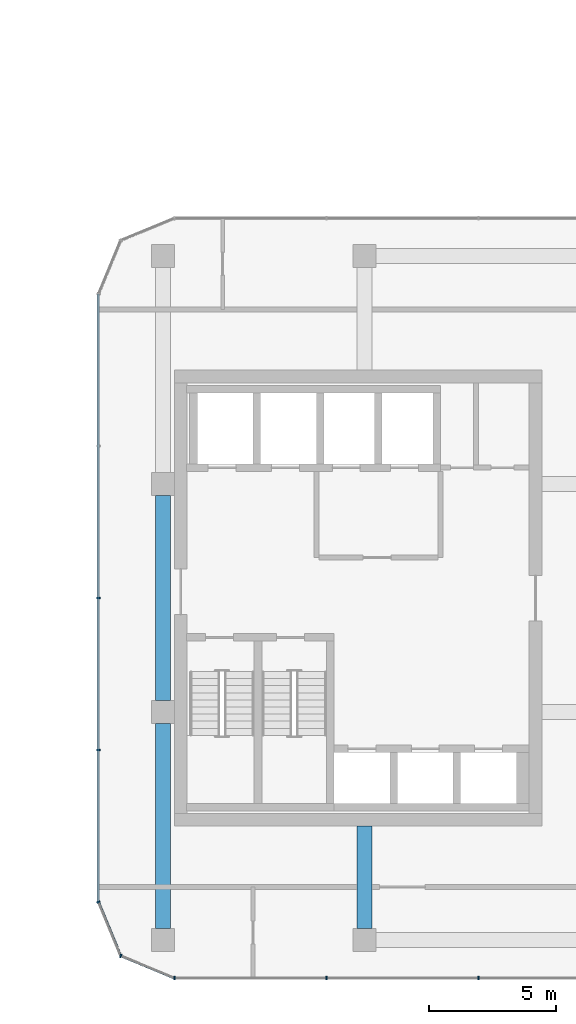
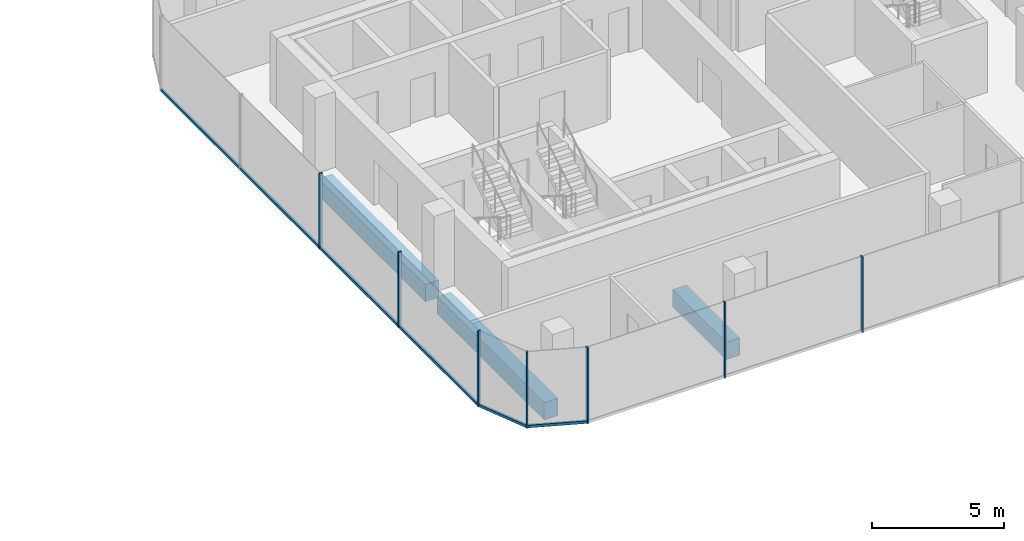
# One storey, part 7 of 23: 10 members, 3 beams, 4 elements without a shape of their own.
"""IFC4 building model written with IfcOpenShell, lengths in metres."""

from ifc_helpers import new_model, si_unit, direction, frame, origin, origin_2d, place, context, subcontext, project, spatial, rectangle, extrude, material, layer, layer_set, material_profile, profile_set, type_object, element, aggregate, save


model = new_model("IFC4")

# Units and contexts
model_context = context("Model", 3, precision=1e-05, world=origin(), true_north=direction((0.0, 1.0)))
body_context = subcontext(model_context, "Body", "Model", "MODEL_VIEW")
ifc_project = project(units=[si_unit("LENGTHUNIT", "METRE"), si_unit("AREAUNIT", "SQUARE_METRE"), si_unit("VOLUMEUNIT", "CUBIC_METRE"), si_unit("PLANEANGLEUNIT", "RADIAN"), si_unit("MASSUNIT", "GRAM", prefix="KILO")], contexts=[model_context])

# Site, building, storey
site_placement = place(None, origin())
site = spatial("IfcSite", under=ifc_project, at=site_placement, CompositionType="ELEMENT")
building_placement = place(site_placement, origin())
building = spatial("IfcBuilding", under=site, at=building_placement, Name="Plateau Cross Towers", CompositionType="ELEMENT")
storey_placement = place(building_placement, frame((0.0, 0.0, 40.800048828125)))
storey = spatial("IfcBuildingStorey", under=building, at=storey_placement, Name="L09", CompositionType="ELEMENT", Elevation=40.800048828125)

# Beam
ifc_material_1 = material(Name="Concrete C60/75", Category="concrete")
ifc_material_profile_1 = material_profile(ifc_material_1, rectangle(XDim=0.60009765625, YDim=0.800048828125, at=origin_2d()), Name="RC 600x800")
ifc_profile_set_1 = profile_set([ifc_material_profile_1], Name="Concrete C60/75")
beam_type_1 = type_object("IfcBeamType", Name="Core beam RC 600x800", PredefinedType="BEAM", material=ifc_profile_set_1)
beam_placement = place(storey_placement, frame((82.5, 0.0, -0.650146484375), z_axis=(0.0, -1.0, 0.0), x_axis=(1.0, 0.0, 0.0)))
element("IfcBeam", 1, at=beam_placement, inside=storey, type_object=beam_type_1, Name="B-CB01@L09", PredefinedType="BEAM", context=body_context, shape_type="SweptSolid", body=[
    extrude(rectangle(XDim=0.60009765625, YDim=0.800048828125, at=origin_2d()), origin(), (0.0, 0.0, 1.0), 4.050048828125),
])

# Curtain wall, members
ifc_material_2 = material(Name="Dark low-iron glass", Category="glass")
ifc_layer = layer(ifc_material_2, 0.239990234375)
ifc_layer_set = layer_set([ifc_layer], Name="Dark low-iron glass")
curtain_wall_type = type_object("IfcCurtainWallType", Name="Curtain wall office unitised CW-F", PredefinedType="NOTDEFINED", material=ifc_layer_set)
curtain_wall_1_placement = place(storey_placement, origin())
curtain_wall_1 = element("IfcCurtainWall", 2, at=curtain_wall_1_placement, inside=storey, type_object=curtain_wall_type, Name="ENV/B/L09/B750_-60", PredefinedType="NOTDEFINED")
ifc_material_3 = material(Name="Black anodised aluminium", Category="aluminium")
ifc_material_profile_2 = material_profile(ifc_material_3, rectangle(XDim=0.06005859375, YDim=0.139892578125, at=origin_2d()), Name="MULLION 60x140")
ifc_profile_set_2 = profile_set([ifc_material_profile_2], Name="Black anodised aluminium")
member_type_1 = type_object("IfcMemberType", Name="Mullion 60x140 office unitised", PredefinedType="MULLION", material=ifc_profile_set_2)
member_1_placement = place(storey_placement, frame((75.0, -6.0, -0.25), z_axis=(0.0, 0.0, 1.0), x_axis=(1.0, 0.0, 0.0)))
member_1 = element("IfcMember", 3, at=member_1_placement, type_object=member_type_1, Name="CW-F mullion 1", PredefinedType="MULLION", context=body_context, shape_type="SweptSolid", body=[
    extrude(rectangle(XDim=0.06005859375, YDim=0.139892578125, at=origin_2d()), origin(), (0.0, 0.0, 1.0), 3.5),
])
member_2_placement = place(storey_placement, frame((81.0, -6.0, -0.25), z_axis=(0.0, 0.0, 1.0), x_axis=(1.0, 0.0, 0.0)))
member_2 = element("IfcMember", 4, at=member_2_placement, type_object=member_type_1, Name="CW-F mullion 2", PredefinedType="MULLION", context=body_context, shape_type="SweptSolid", body=[
    extrude(rectangle(XDim=0.06005859375, YDim=0.139892578125, at=origin_2d()), origin(), (0.0, 0.0, 1.0), 3.5),
])
member_3_placement = place(storey_placement, frame((87.0, -6.0, -0.25), z_axis=(0.0, 0.0, 1.0), x_axis=(1.0, 0.0, 0.0)))
member_3 = element("IfcMember", 5, at=member_3_placement, type_object=member_type_1, Name="CW-F mullion 3", PredefinedType="MULLION", context=body_context, shape_type="SweptSolid", body=[
    extrude(rectangle(XDim=0.06005859375, YDim=0.139892578125, at=origin_2d()), origin(), (0.0, 0.0, 1.0), 3.5),
])
aggregate(curtain_wall_1, [member_1, member_2, member_3])

curtain_wall_2_placement = place(storey_placement, origin())
curtain_wall_2 = element("IfcCurtainWall", 6, at=curtain_wall_2_placement, inside=storey, type_object=curtain_wall_type, Name="ENV/B/L09/B720_210", PredefinedType="NOTDEFINED")
member_4_placement = place(storey_placement, frame((72.0, 9.0, -0.25), z_axis=(0.0, 0.0, 1.0), x_axis=(0.0, -1.0, 0.0)))
member_4 = element("IfcMember", 7, at=member_4_placement, type_object=member_type_1, Name="CW-F mullion 3", PredefinedType="MULLION", context=body_context, shape_type="SweptSolid", body=[
    extrude(rectangle(XDim=0.06005859375, YDim=0.139892578125, at=origin_2d()), origin(), (0.0, 0.0, 1.0), 3.5),
])
member_5_placement = place(storey_placement, frame((72.0, 3.0, -0.25), z_axis=(0.0, 0.0, 1.0), x_axis=(0.0, -1.0, 0.0)))
member_5 = element("IfcMember", 8, at=member_5_placement, type_object=member_type_1, Name="CW-F mullion 4", PredefinedType="MULLION", context=body_context, shape_type="SweptSolid", body=[
    extrude(rectangle(XDim=0.06005859375, YDim=0.139892578125, at=origin_2d()), origin(), (0.0, 0.0, 1.0), 3.5),
])

# Curtain wall, member
curtain_wall_3_placement = place(storey_placement, origin())
curtain_wall_3 = element("IfcCurtainWall", 9, at=curtain_wall_3_placement, inside=storey, type_object=curtain_wall_type, Name="ENV/B/L09/B720_-30", PredefinedType="NOTDEFINED")
member_6_placement = place(storey_placement, frame((72.0, -3.0, -0.25), z_axis=(0.0, 0.0, 1.0), x_axis=(0.382683612978, -0.923879457699, 0.0)))
member_6 = element("IfcMember", 10, at=member_6_placement, type_object=member_type_1, Name="CW-F mullion 1", PredefinedType="MULLION", context=body_context, shape_type="SweptSolid", body=[
    extrude(rectangle(XDim=0.06005859375, YDim=0.139892578125, at=origin_2d()), origin(), (0.0, 0.0, 1.0), 3.5),
])

curtain_wall_4_placement = place(storey_placement, origin())
curtain_wall_4 = element("IfcCurtainWall", 11, at=curtain_wall_4_placement, inside=storey, type_object=curtain_wall_type, Name="ENV/B/L09/B729_-51", PredefinedType="NOTDEFINED")
member_7_placement = place(storey_placement, frame((72.878662109375, -5.121337890625, -0.25), z_axis=(0.0, 0.0, 1.0), x_axis=(0.923879457699, -0.382683612978, 0.0)))
member_7 = element("IfcMember", 12, at=member_7_placement, type_object=member_type_1, Name="CW-F mullion 1", PredefinedType="MULLION", context=body_context, shape_type="SweptSolid", body=[
    extrude(rectangle(XDim=0.06005859375, YDim=0.139892578125, at=origin_2d()), origin(), (0.0, 0.0, 1.0), 3.5),
])

# Beams
ifc_material_profile_3 = material_profile(ifc_material_1, rectangle(XDim=0.60009765625, YDim=0.800048828125, at=origin_2d()), Name="RC 600x800")
ifc_profile_set_3 = profile_set([ifc_material_profile_3], Name="Concrete C60/75")
beam_type_2 = type_object("IfcBeamType", Name="Ring beam RC 600x800", PredefinedType="BEAM", material=ifc_profile_set_3)
for number, where, z_axis, x_axis, name in (
    (13, (74.550048828125, 13.050048828125, -0.650146484375), (0.0, -1.0, 0.0), (1.0, 0.0, 0.0), "B-RB09@L09"),
    (14, (74.550048828125, 4.050048828125, -0.650146484375), (0.0, -1.0, 0.0), (1.0, 0.0, 0.0), "B-RB10@L09"),
):
    element("IfcBeam", number, at=place(storey_placement, frame(where, z_axis=z_axis, x_axis=x_axis)), inside=storey, type_object=beam_type_2, Name=name, PredefinedType="BEAM", context=body_context, shape_type="SweptSolid", body=[
        extrude(rectangle(XDim=0.60009765625, YDim=0.800048828125, at=origin_2d()), origin(), (0.0, 0.0, 1.0), 8.10009765625),
    ])

# Member
ifc_material_profile_4 = material_profile(ifc_material_3, rectangle(XDim=0.10009765625, YDim=0.1201171875, at=origin_2d()), Name="TRANSOM 100x120")
ifc_profile_set_4 = profile_set([ifc_material_profile_4], Name="Black anodised aluminium")
member_type_2 = type_object("IfcMemberType", Name="Transom 100x120 office unitised", PredefinedType="USERDEFINED", material=ifc_profile_set_4)
member_8_placement = place(storey_placement, frame((72.0, 21.0, -0.18994140625), z_axis=(0.0, -1.0, 0.0), x_axis=(1.0, 0.0, 0.0)))
member_8 = element("IfcMember", 15, at=member_8_placement, type_object=member_type_2, Name="CW-F transom", ObjectType="TRANSOM", PredefinedType="USERDEFINED", context=body_context, shape_type="SweptSolid", body=[
    extrude(rectangle(XDim=0.10009765625, YDim=0.1201171875, at=origin_2d()), origin(), (0.0, 0.0, 1.0), 24.0),
])

aggregate(curtain_wall_2, [member_4, member_5, member_8])

member_9_placement = place(storey_placement, frame((72.0, -3.0, -0.18994140625), z_axis=(0.382674207535, -0.923883353507, 0.0), x_axis=(0.923883353507, 0.382674207535, 0.0)))
member_9 = element("IfcMember", 16, at=member_9_placement, type_object=member_type_2, Name="CW-F transom", ObjectType="TRANSOM", PredefinedType="USERDEFINED", context=body_context, shape_type="SweptSolid", body=[
    extrude(rectangle(XDim=0.10009765625, YDim=0.1201171875, at=origin_2d()), origin(), (0.0, 0.0, 1.0), 2.296142578125),
])

aggregate(curtain_wall_3, [member_6, member_9])

member_10_placement = place(storey_placement, frame((72.878662109375, -5.121337890625, -0.18994140625), z_axis=(0.923883353507, -0.382674207535, 0.0), x_axis=(0.382674207535, 0.923883353507, 0.0)))
member_10 = element("IfcMember", 17, at=member_10_placement, type_object=member_type_2, Name="CW-F transom", ObjectType="TRANSOM", PredefinedType="USERDEFINED", context=body_context, shape_type="SweptSolid", body=[
    extrude(rectangle(XDim=0.10009765625, YDim=0.1201171875, at=origin_2d()), origin(), (0.0, 0.0, 1.0), 2.296142578125),
])

aggregate(curtain_wall_4, [member_7, member_10])

save(model, "model.ifc")
